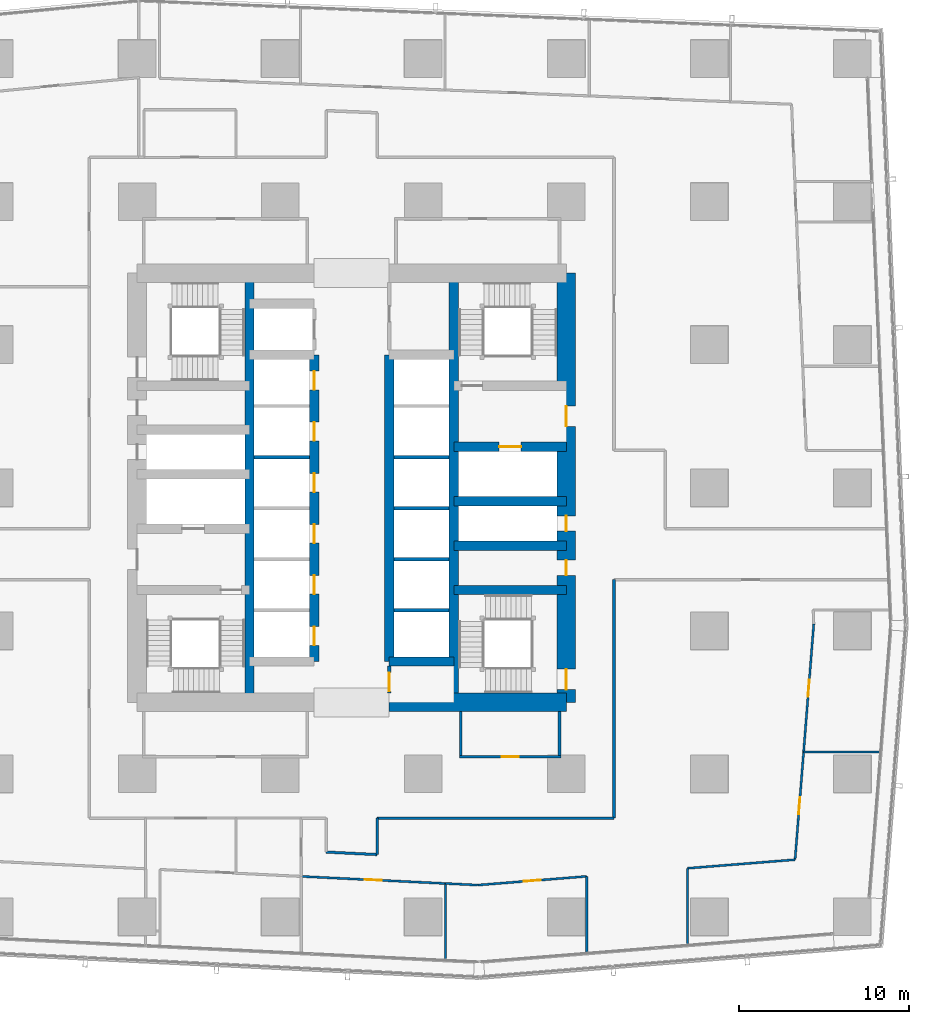
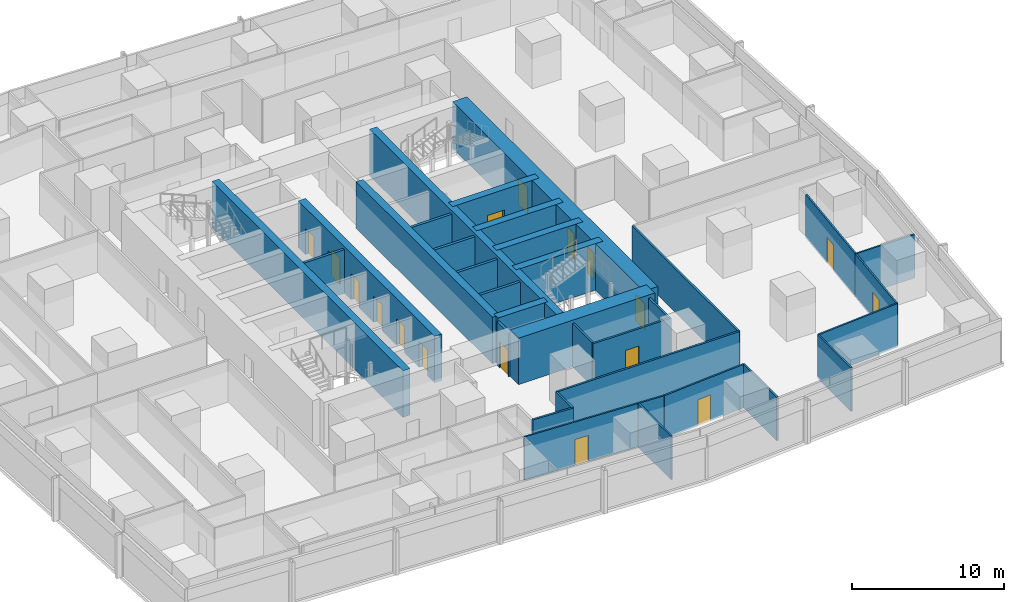
# One storey, part 33 of 45: 34 walls, 17 doors, 17 openings.
"""IFC4 building model written with IfcOpenShell, lengths in metres."""

from ifc_helpers import new_model, si_unit, direction, frame, frame_2d, origin, place, context, subcontext, project, spatial, rectangle, extrude, material, layer, layer_set, type_object, element, fill, save


model = new_model("IFC4")

# Units and contexts
model_context = context("Model", 3, precision=1e-05, world=origin(), true_north=direction((0.0, 1.0)))
body_context = subcontext(model_context, "Body", "Model", "MODEL_VIEW")
ifc_project = project(units=[si_unit("LENGTHUNIT", "METRE"), si_unit("AREAUNIT", "SQUARE_METRE"), si_unit("VOLUMEUNIT", "CUBIC_METRE"), si_unit("PLANEANGLEUNIT", "RADIAN"), si_unit("MASSUNIT", "GRAM", prefix="KILO")], contexts=[model_context])

# Site, building, storey
site_placement = place(None, origin())
site = spatial("IfcSite", under=ifc_project, at=site_placement, CompositionType="ELEMENT")
building_placement = place(site_placement, origin())
building = spatial("IfcBuilding", under=site, at=building_placement, Name="Rekha Terrace Tower", CompositionType="ELEMENT")
storey_placement = place(building_placement, frame((0.0, 0.0, 32.89990234375)))
storey = spatial("IfcBuildingStorey", under=building, at=storey_placement, Name="L07", CompositionType="ELEMENT", Elevation=32.89990234375)

# Walls
ifc_material_1 = material(Name="Concrete M70", Category="concrete")
ifc_layer_1 = layer(ifc_material_1, 0.550048828125)
ifc_layer_set_1 = layer_set([ifc_layer_1], Name="Concrete M70")
wall_type_1 = type_object("IfcWallType", Name="CI1 550 core internal shear wall", PredefinedType="SHEAR", material=ifc_layer_set_1)
for number, where, z_axis, x_axis, name in (
    (1, (31.800048828125, 21.0, 0.0), (0.0, 0.0, 1.0), (0.0, 1.0, 0.0), "Core wall X318 L07"),
    (2, (43.800048828125, 21.0, 0.0), (0.0, 0.0, 1.0), (0.0, 1.0, 0.0), "Core wall X438 L07"),
):
    element("IfcWall", number, at=place(storey_placement, frame(where, z_axis=z_axis, x_axis=x_axis)), inside=storey, type_object=wall_type_1, Name=name, PredefinedType="SHEAR", context=body_context, shape_type="SweptSolid", body=[
        extrude(rectangle(XDim=25.199951171875, YDim=0.550048828125, at=frame_2d((12.60009765625, 0.0))), origin(), (0.0, 0.0, 1.0), 3.75),
    ])

# Wall, openings, doors
wall_1_placement = place(storey_placement, frame((35.60009765625, 23.39990234375, 0.0), z_axis=(0.0, 0.0, 1.0), x_axis=(0.0, 1.0, 0.0)))
wall_1 = element("IfcWall", 3, at=wall_1_placement, inside=storey, type_object=wall_type_1, Name="Core wall X356 L07", PredefinedType="SHEAR", context=body_context, shape_type="SweptSolid", body=[
    extrude(rectangle(XDim=18.0, YDim=0.550048828125, at=frame_2d((9.0, 0.0))), origin(), (0.0, 0.0, 1.0), 3.75),
])
opening_1_placement = place(wall_1_placement, frame((0.949951171875, 0.0, 0.0)))
opening_1 = element("IfcOpeningElement", 4, at=opening_1_placement, cuts=wall_1, Name="Opening LD1", PredefinedType="OPENING", context=body_context, shape_type="SweptSolid", body=[
    extrude(rectangle(XDim=1.10009765625, YDim=2.10009765625, at=frame_2d((0.550048828125, 1.050048828125))), frame((0.0, 0.284912109375, 0.0), z_axis=(0.0, -1.0, 0.0), x_axis=(1.0, 0.0, 0.0)), (0.0, 0.0, 1.0), 0.570068359375),
])
opening_2_placement = place(wall_1_placement, frame((3.949951171875, 0.0, 0.0)))
opening_2 = element("IfcOpeningElement", 5, at=opening_2_placement, cuts=wall_1, Name="Opening LD1", PredefinedType="OPENING", context=body_context, shape_type="SweptSolid", body=[
    extrude(rectangle(XDim=1.10009765625, YDim=2.10009765625, at=frame_2d((0.550048828125, 1.050048828125))), frame((0.0, 0.284912109375, 0.0), z_axis=(0.0, -1.0, 0.0), x_axis=(1.0, 0.0, 0.0)), (0.0, 0.0, 1.0), 0.570068359375),
])
opening_3_placement = place(wall_1_placement, frame((6.949951171875, 0.0, 0.0)))
opening_3 = element("IfcOpeningElement", 6, at=opening_3_placement, cuts=wall_1, Name="Opening LD1", PredefinedType="OPENING", context=body_context, shape_type="SweptSolid", body=[
    extrude(rectangle(XDim=1.10009765625, YDim=2.10009765625, at=frame_2d((0.550048828125, 1.050048828125))), frame((0.0, 0.284912109375, 0.0), z_axis=(0.0, -1.0, 0.0), x_axis=(1.0, 0.0, 0.0)), (0.0, 0.0, 1.0), 0.570068359375),
])
opening_4_placement = place(wall_1_placement, frame((9.949951171875, 0.0, 0.0)))
opening_4 = element("IfcOpeningElement", 7, at=opening_4_placement, cuts=wall_1, Name="Opening LD1", PredefinedType="OPENING", context=body_context, shape_type="SweptSolid", body=[
    extrude(rectangle(XDim=1.10009765625, YDim=2.10009765625, at=frame_2d((0.550048828125, 1.050048828125))), frame((0.0, 0.284912109375, 0.0), z_axis=(0.0, -1.0, 0.0), x_axis=(1.0, 0.0, 0.0)), (0.0, 0.0, 1.0), 0.570068359375),
])
opening_5_placement = place(wall_1_placement, frame((12.949951171875, 0.0, 0.0)))
opening_5 = element("IfcOpeningElement", 8, at=opening_5_placement, cuts=wall_1, Name="Opening LD1", PredefinedType="OPENING", context=body_context, shape_type="SweptSolid", body=[
    extrude(rectangle(XDim=1.10009765625, YDim=2.10009765625, at=frame_2d((0.550048828125, 1.050048828125))), frame((0.0, 0.284912109375, 0.0), z_axis=(0.0, -1.0, 0.0), x_axis=(1.0, 0.0, 0.0)), (0.0, 0.0, 1.0), 0.570068359375),
])
opening_6_placement = place(wall_1_placement, frame((15.949951171875, 0.0, 0.0)))
opening_6 = element("IfcOpeningElement", 9, at=opening_6_placement, cuts=wall_1, Name="Opening LD1", PredefinedType="OPENING", context=body_context, shape_type="SweptSolid", body=[
    extrude(rectangle(XDim=1.10009765625, YDim=2.10009765625, at=frame_2d((0.550048828125, 1.050048828125))), frame((0.0, 0.284912109375, 0.0), z_axis=(0.0, -1.0, 0.0), x_axis=(1.0, 0.0, 0.0)), (0.0, 0.0, 1.0), 0.570068359375),
])
ifc_material_2 = material(Name="Stainless steel sliding landing door", Category="steel")
door_type_1 = type_object("IfcDoorType", Name="LD1 1100x2100 lift landing door", OperationType="SLIDING_TO_LEFT", PredefinedType="USERDEFINED", material=ifc_material_2)
door_1_placement = place(opening_1_placement, origin())
door_1 = element("IfcDoor", 10, at=door_1_placement, inside=storey, type_object=door_type_1, Name="Lift A1 landing door L07", ObjectType="LIFT LANDING DOOR", OperationType="SLIDING_TO_LEFT", OverallHeight=2.10009765625, OverallWidth=1.10009765625, PredefinedType="USERDEFINED", context=body_context, shape_type="SweptSolid", body=[
    extrude(rectangle(XDim=1.10009765625, YDim=2.10009765625, at=frame_2d((0.550048828125, 1.050048828125))), frame((0.0, 0.02490234375, 0.0), z_axis=(0.0, -1.0, 0.0), x_axis=(1.0, 0.0, 0.0)), (0.0, 0.0, 1.0), 0.050048828125),
])
fill(opening_1, door_1)
door_2_placement = place(opening_2_placement, origin())
door_2 = element("IfcDoor", 11, at=door_2_placement, inside=storey, type_object=door_type_1, Name="Lift A2 landing door L07", ObjectType="LIFT LANDING DOOR", OperationType="SLIDING_TO_LEFT", OverallHeight=2.10009765625, OverallWidth=1.10009765625, PredefinedType="USERDEFINED", context=body_context, shape_type="SweptSolid", body=[
    extrude(rectangle(XDim=1.10009765625, YDim=2.10009765625, at=frame_2d((0.550048828125, 1.050048828125))), frame((0.0, 0.02490234375, 0.0), z_axis=(0.0, -1.0, 0.0), x_axis=(1.0, 0.0, 0.0)), (0.0, 0.0, 1.0), 0.050048828125),
])
fill(opening_2, door_2)
door_3_placement = place(opening_3_placement, origin())
door_3 = element("IfcDoor", 12, at=door_3_placement, inside=storey, type_object=door_type_1, Name="Lift A3 landing door L07", ObjectType="LIFT LANDING DOOR", OperationType="SLIDING_TO_LEFT", OverallHeight=2.10009765625, OverallWidth=1.10009765625, PredefinedType="USERDEFINED", context=body_context, shape_type="SweptSolid", body=[
    extrude(rectangle(XDim=1.10009765625, YDim=2.10009765625, at=frame_2d((0.550048828125, 1.050048828125))), frame((0.0, 0.02490234375, 0.0), z_axis=(0.0, -1.0, 0.0), x_axis=(1.0, 0.0, 0.0)), (0.0, 0.0, 1.0), 0.050048828125),
])
fill(opening_3, door_3)
door_4_placement = place(opening_4_placement, origin())
door_4 = element("IfcDoor", 13, at=door_4_placement, inside=storey, type_object=door_type_1, Name="Lift A4 landing door L07", ObjectType="LIFT LANDING DOOR", OperationType="SLIDING_TO_LEFT", OverallHeight=2.10009765625, OverallWidth=1.10009765625, PredefinedType="USERDEFINED", context=body_context, shape_type="SweptSolid", body=[
    extrude(rectangle(XDim=1.10009765625, YDim=2.10009765625, at=frame_2d((0.550048828125, 1.050048828125))), frame((0.0, 0.02490234375, 0.0), z_axis=(0.0, -1.0, 0.0), x_axis=(1.0, 0.0, 0.0)), (0.0, 0.0, 1.0), 0.050048828125),
])
fill(opening_4, door_4)
door_5_placement = place(opening_5_placement, origin())
door_5 = element("IfcDoor", 14, at=door_5_placement, inside=storey, type_object=door_type_1, Name="Lift A5 landing door L07", ObjectType="LIFT LANDING DOOR", OperationType="SLIDING_TO_LEFT", OverallHeight=2.10009765625, OverallWidth=1.10009765625, PredefinedType="USERDEFINED", context=body_context, shape_type="SweptSolid", body=[
    extrude(rectangle(XDim=1.10009765625, YDim=2.10009765625, at=frame_2d((0.550048828125, 1.050048828125))), frame((0.0, 0.02490234375, 0.0), z_axis=(0.0, -1.0, 0.0), x_axis=(1.0, 0.0, 0.0)), (0.0, 0.0, 1.0), 0.050048828125),
])
fill(opening_5, door_5)
door_6_placement = place(opening_6_placement, origin())
door_6 = element("IfcDoor", 15, at=door_6_placement, inside=storey, type_object=door_type_1, Name="Lift A6 landing door L07", ObjectType="LIFT LANDING DOOR", OperationType="SLIDING_TO_LEFT", OverallHeight=2.10009765625, OverallWidth=1.10009765625, PredefinedType="USERDEFINED", context=body_context, shape_type="SweptSolid", body=[
    extrude(rectangle(XDim=1.10009765625, YDim=2.10009765625, at=frame_2d((0.550048828125, 1.050048828125))), frame((0.0, 0.02490234375, 0.0), z_axis=(0.0, -1.0, 0.0), x_axis=(1.0, 0.0, 0.0)), (0.0, 0.0, 1.0), 0.050048828125),
])
fill(opening_6, door_6)

# Walls
wall_2_placement = place(storey_placement, frame((40.0, 23.39990234375, 0.0), z_axis=(0.0, 0.0, 1.0), x_axis=(0.0, 1.0, 0.0)))
element("IfcWall", 16, at=wall_2_placement, inside=storey, type_object=wall_type_1, Name="Core wall X400 L07", PredefinedType="SHEAR", context=body_context, shape_type="SweptSolid", body=[
    extrude(rectangle(XDim=18.0, YDim=0.550048828125, at=frame_2d((9.0, 0.0))), origin(), (0.0, 0.0, 1.0), 3.75),
])
wall_3_placement = place(storey_placement, frame((40.0, 23.39990234375, 0.0), z_axis=(0.0, 0.0, 1.0), x_axis=(1.0, 0.0, 0.0)))
element("IfcWall", 17, at=wall_3_placement, inside=storey, type_object=wall_type_1, Name="Core wall Y234E L07", PredefinedType="SHEAR", context=body_context, shape_type="SweptSolid", body=[
    extrude(rectangle(XDim=3.800048828125, YDim=0.550048828125, at=frame_2d((1.89990234375, 0.0))), origin(), (0.0, 0.0, 1.0), 3.75),
])
for number, where, z_axis, x_axis, name in (
    (18, (43.800048828125, 27.60009765625, 0.0), (0.0, 0.0, 1.0), (1.0, 0.0, 0.0), "Core wall Y276E L07"),
    (19, (43.800048828125, 30.199951171875, 0.0), (0.0, 0.0, 1.0), (1.0, 0.0, 0.0), "Core wall Y302E L07"),
    (20, (43.800048828125, 32.800048828125, 0.0), (0.0, 0.0, 1.0), (1.0, 0.0, 0.0), "Core wall Y328E L07"),
):
    element("IfcWall", number, at=place(storey_placement, frame(where, z_axis=z_axis, x_axis=x_axis)), inside=storey, type_object=wall_type_1, Name=name, PredefinedType="SHEAR", context=body_context, shape_type="SweptSolid", body=[
        extrude(rectangle(XDim=6.599853515625, YDim=0.550048828125, at=frame_2d((3.2998046875, 0.0))), origin(), (0.0, 0.0, 1.0), 3.75),
    ])

# Wall, opening, door
wall_4_placement = place(storey_placement, frame((43.800048828125, 36.0, 0.0), z_axis=(0.0, 0.0, 1.0), x_axis=(1.0, 0.0, 0.0)))
wall_4 = element("IfcWall", 21, at=wall_4_placement, inside=storey, type_object=wall_type_1, Name="Core wall Y360E L07", PredefinedType="SHEAR", context=body_context, shape_type="SweptSolid", body=[
    extrude(rectangle(XDim=6.599853515625, YDim=0.550048828125, at=frame_2d((3.2998046875, 0.0))), origin(), (0.0, 0.0, 1.0), 3.75),
])
opening_7_placement = place(wall_4_placement, frame((2.64990234375, 0.0, 0.0)))
opening_7 = element("IfcOpeningElement", 22, at=opening_7_placement, cuts=wall_4, Name="Opening LD2", PredefinedType="OPENING", context=body_context, shape_type="SweptSolid", body=[
    extrude(rectangle(XDim=1.300048828125, YDim=2.10009765625, at=frame_2d((0.64990234375, 1.050048828125))), frame((0.0, 0.284912109375, 0.0), z_axis=(0.0, -1.0, 0.0), x_axis=(1.0, 0.0, 0.0)), (0.0, 0.0, 1.0), 0.570068359375),
])
door_type_2 = type_object("IfcDoorType", Name="LD2 1300x2100 fire lift landing door", OperationType="SLIDING_TO_LEFT", PredefinedType="USERDEFINED", material=ifc_material_2)
door_7_placement = place(opening_7_placement, origin())
door_7 = element("IfcDoor", 23, at=door_7_placement, inside=storey, type_object=door_type_2, Name="Lift FL2 landing door L07", ObjectType="LIFT LANDING DOOR", OperationType="SLIDING_TO_LEFT", OverallHeight=2.10009765625, OverallWidth=1.300048828125, PredefinedType="USERDEFINED", context=body_context, shape_type="SweptSolid", body=[
    extrude(rectangle(XDim=1.300048828125, YDim=2.10009765625, at=frame_2d((0.64990234375, 1.050048828125))), frame((0.0, 0.02490234375, 0.0), z_axis=(0.0, -1.0, 0.0), x_axis=(1.0, 0.0, 0.0)), (0.0, 0.0, 1.0), 0.050048828125),
])
fill(opening_7, door_7)

# Wall
ifc_layer_2 = layer(ifc_material_1, 1.10009765625)
ifc_layer_set_2 = layer_set([ifc_layer_2], Name="Concrete M70")
wall_type_2 = type_object("IfcWallType", Name="SW1 1100 core outer shear wall", PredefinedType="SHEAR", material=ifc_layer_set_2)
wall_5_placement = place(storey_placement, frame((40.0, 21.0, 0.0), z_axis=(0.0, 0.0, 1.0), x_axis=(1.0, 0.0, 0.0)))
element("IfcWall", 24, at=wall_5_placement, inside=storey, type_object=wall_type_2, Name="Core wall S2 L07", PredefinedType="SHEAR", context=body_context, shape_type="SweptSolid", body=[
    extrude(rectangle(XDim=10.39990234375, YDim=1.10009765625, at=frame_2d((5.199951171875, 0.0))), origin(), (0.0, 0.0, 1.0), 3.75),
])

# Wall, openings, doors
wall_6_placement = place(storey_placement, frame((50.39990234375, 21.0, 0.0), z_axis=(0.0, 0.0, 1.0), x_axis=(0.0, 1.0, 0.0)))
wall_6 = element("IfcWall", 25, at=wall_6_placement, inside=storey, type_object=wall_type_2, Name="Core wall E L07", PredefinedType="SHEAR", context=body_context, shape_type="SweptSolid", body=[
    extrude(rectangle(XDim=25.199951171875, YDim=1.10009765625, at=frame_2d((12.60009765625, 0.0))), origin(), (0.0, 0.0, 1.0), 3.75),
])
opening_8_placement = place(wall_6_placement, frame((16.199951171875, 0.0, 0.0)))
opening_8 = element("IfcOpeningElement", 26, at=opening_8_placement, cuts=wall_6, Name="Opening D2", PredefinedType="OPENING", context=body_context, shape_type="SweptSolid", body=[
    extrude(rectangle(XDim=1.199951171875, YDim=2.10009765625, at=frame_2d((0.60009765625, 1.050048828125))), frame((0.0, 0.56005859375, 0.0), z_axis=(0.0, -1.0, 0.0), x_axis=(1.0, 0.0, 0.0)), (0.0, 0.0, 1.0), 1.1201171875),
])
opening_9_placement = place(wall_6_placement, frame((10.050048828125, 0.0, 0.0)))
opening_9 = element("IfcOpeningElement", 27, at=opening_9_placement, cuts=wall_6, Name="Opening D5", PredefinedType="OPENING", context=body_context, shape_type="SweptSolid", body=[
    extrude(rectangle(XDim=0.89990234375, YDim=2.10009765625, at=frame_2d((0.449951171875, 1.050048828125))), frame((0.0, 0.56005859375, 0.0), z_axis=(0.0, -1.0, 0.0), x_axis=(1.0, 0.0, 0.0)), (0.0, 0.0, 1.0), 1.1201171875),
])
opening_10_placement = place(wall_6_placement, frame((7.449951171875, 0.0, 0.0)))
opening_10 = element("IfcOpeningElement", 28, at=opening_10_placement, cuts=wall_6, Name="Opening D5", PredefinedType="OPENING", context=body_context, shape_type="SweptSolid", body=[
    extrude(rectangle(XDim=0.89990234375, YDim=2.10009765625, at=frame_2d((0.449951171875, 1.050048828125))), frame((0.0, 0.56005859375, 0.0), z_axis=(0.0, -1.0, 0.0), x_axis=(1.0, 0.0, 0.0)), (0.0, 0.0, 1.0), 1.1201171875),
])
opening_11_placement = place(wall_6_placement, frame((0.75, 0.0, 0.0)))
opening_11 = element("IfcOpeningElement", 29, at=opening_11_placement, cuts=wall_6, Name="Opening D1", PredefinedType="OPENING", context=body_context, shape_type="SweptSolid", body=[
    extrude(rectangle(XDim=1.199951171875, YDim=2.10009765625, at=frame_2d((0.60009765625, 1.050048828125))), frame((0.0, 0.56005859375, 0.0), z_axis=(0.0, -1.0, 0.0), x_axis=(1.0, 0.0, 0.0)), (0.0, 0.0, 1.0), 1.1201171875),
])
ifc_material_3 = material(Name="Steel fire door", Category="steel")
door_type_3 = type_object("IfcDoorType", Name="D1 1200x2100 stair fire door", OperationType="SINGLE_SWING_RIGHT", PredefinedType="DOOR", material=ifc_material_3)
door_8_placement = place(opening_11_placement, origin())
door_8 = element("IfcDoor", 30, at=door_8_placement, inside=storey, type_object=door_type_3, Name="Stair ST3 door L07", OperationType="SINGLE_SWING_RIGHT", OverallHeight=2.10009765625, OverallWidth=1.199951171875, PredefinedType="DOOR", context=body_context, shape_type="SweptSolid", body=[
    extrude(rectangle(XDim=1.199951171875, YDim=2.10009765625, at=frame_2d((0.60009765625, 1.050048828125))), frame((0.0, 0.02490234375, 0.0), z_axis=(0.0, -1.0, 0.0), x_axis=(1.0, 0.0, 0.0)), (0.0, 0.0, 1.0), 0.050048828125),
])
fill(opening_11, door_8)
door_type_4 = type_object("IfcDoorType", Name="D2 1200x2100 firefighting lobby door", OperationType="SINGLE_SWING_LEFT", PredefinedType="DOOR", material=ifc_material_3)
door_9_placement = place(opening_8_placement, origin())
door_9 = element("IfcDoor", 31, at=door_9_placement, inside=storey, type_object=door_type_4, Name="Door flb2 L07", OperationType="SINGLE_SWING_LEFT", OverallHeight=2.10009765625, OverallWidth=1.199951171875, PredefinedType="DOOR", context=body_context, shape_type="SweptSolid", body=[
    extrude(rectangle(XDim=1.199951171875, YDim=2.10009765625, at=frame_2d((0.60009765625, 1.050048828125))), frame((0.0, 0.02490234375, 0.0), z_axis=(0.0, -1.0, 0.0), x_axis=(1.0, 0.0, 0.0)), (0.0, 0.0, 1.0), 0.050048828125),
])
fill(opening_8, door_9)
door_type_5 = type_object("IfcDoorType", Name="D5 900x2100 riser access door", OperationType="SINGLE_SWING_LEFT", PredefinedType="DOOR", material=ifc_material_3)
door_10_placement = place(opening_9_placement, origin())
door_10 = element("IfcDoor", 32, at=door_10_placement, inside=storey, type_object=door_type_5, Name="Door rs2 L07", OperationType="SINGLE_SWING_LEFT", OverallHeight=2.10009765625, OverallWidth=0.89990234375, PredefinedType="DOOR", context=body_context, shape_type="SweptSolid", body=[
    extrude(rectangle(XDim=0.89990234375, YDim=2.10009765625, at=frame_2d((0.449951171875, 1.050048828125))), frame((0.0, 0.02490234375, 0.0), z_axis=(0.0, -1.0, 0.0), x_axis=(1.0, 0.0, 0.0)), (0.0, 0.0, 1.0), 0.050048828125),
])
fill(opening_9, door_10)
door_11_placement = place(opening_10_placement, origin())
door_11 = element("IfcDoor", 33, at=door_11_placement, inside=storey, type_object=door_type_5, Name="Door ele L07", OperationType="SINGLE_SWING_LEFT", OverallHeight=2.10009765625, OverallWidth=0.89990234375, PredefinedType="DOOR", context=body_context, shape_type="SweptSolid", body=[
    extrude(rectangle(XDim=0.89990234375, YDim=2.10009765625, at=frame_2d((0.449951171875, 1.050048828125))), frame((0.0, 0.02490234375, 0.0), z_axis=(0.0, -1.0, 0.0), x_axis=(1.0, 0.0, 0.0)), (0.0, 0.0, 1.0), 0.050048828125),
])
fill(opening_10, door_11)

# Wall, opening, door
ifc_material_4 = material(Name="Concrete block masonry, 1 hour", Category="masonry")
ifc_layer_3 = layer(ifc_material_4, 0.14990234375)
ifc_layer_set_3 = layer_set([ifc_layer_3], Name="Concrete block masonry, 1 hour")
wall_type_3 = type_object("IfcWallType", Name="WP2 150 tenancy partition", PredefinedType="PARTITIONING", material=ifc_layer_set_3)
wall_7_placement = place(storey_placement, frame((44.125, 17.800048828125, 0.0), z_axis=(0.0, 0.0, 1.0), x_axis=(1.0, 0.0, 0.0)))
wall_7 = element("IfcWall", 34, at=wall_7_placement, inside=storey, type_object=wall_type_3, Name="Men's WC wall L07", PredefinedType="PARTITIONING", context=body_context, shape_type="SweptSolid", body=[
    extrude(rectangle(XDim=5.949951171875, YDim=0.14990234375, at=frame_2d((2.97509765625, 0.0))), origin(), (0.0, 0.0, 1.0), 3.5),
])
opening_12_placement = place(wall_7_placement, frame((2.47509765625, 0.0, 0.0)))
opening_12 = element("IfcOpeningElement", 35, at=opening_12_placement, cuts=wall_7, Name="Opening D3", PredefinedType="OPENING", context=body_context, shape_type="SweptSolid", body=[
    extrude(rectangle(XDim=1.0, YDim=2.10009765625, at=frame_2d((0.5, 1.050048828125))), frame((0.0, 0.0849609375, 0.0), z_axis=(0.0, -1.0, 0.0), x_axis=(1.0, 0.0, 0.0)), (0.0, 0.0, 1.0), 0.169921875),
])
ifc_material_5 = material(Name="Laminated timber fire door", Category="wood")
door_type_6 = type_object("IfcDoorType", Name="D3 1000x2100 WC door", OperationType="SINGLE_SWING_LEFT", PredefinedType="DOOR", material=ifc_material_5)
door_12_placement = place(opening_12_placement, origin())
door_12 = element("IfcDoor", 36, at=door_12_placement, inside=storey, type_object=door_type_6, Name="Door men's wc L07", OperationType="SINGLE_SWING_LEFT", OverallHeight=2.10009765625, OverallWidth=1.0, PredefinedType="DOOR", context=body_context, shape_type="SweptSolid", body=[
    extrude(rectangle(XDim=1.0, YDim=2.10009765625, at=frame_2d((0.5, 1.050048828125))), frame((0.0, 0.02490234375, 0.0), z_axis=(0.0, -1.0, 0.0), x_axis=(1.0, 0.0, 0.0)), (0.0, 0.0, 1.0), 0.050048828125),
])
fill(opening_12, door_12)

# Walls
for number, where, z_axis, x_axis, name in (
    (37, (44.199951171875, 17.875, 0.0), (0.0, 0.0, 1.0), (0.0, 1.0, 0.0), "Men's WC wall L07"),
    (38, (50.0, 17.875, 0.0), (0.0, 0.0, 1.0), (0.0, 1.0, 0.0), "Men's WC wall L07"),
):
    element("IfcWall", number, at=place(storey_placement, frame(where, z_axis=z_axis, x_axis=x_axis)), inside=storey, type_object=wall_type_3, Name=name, PredefinedType="PARTITIONING", context=body_context, shape_type="SweptSolid", body=[
        extrude(rectangle(XDim=2.574951171875, YDim=0.14990234375, at=frame_2d((1.28759765625, 0.0))), origin(), (0.0, 0.0, 1.0), 3.5),
    ])
wall_8_placement = place(storey_placement, frame((36.300048828125, 12.2099609375, 0.0), z_axis=(0.0, 0.0, 1.0), x_axis=(0.998786159732, -0.04925654401, 0.0)))
element("IfcWall", 39, at=wall_8_placement, inside=storey, type_object=wall_type_3, Name="Partition L07-O1", PredefinedType="PARTITIONING", context=body_context, shape_type="SweptSolid", body=[
    extrude(rectangle(XDim=3.003662109375, YDim=0.14990234375, at=frame_2d((1.501953125, 0.0))), origin(), (0.0, 0.0, 1.0), 3.5),
])
wall_9_placement = place(storey_placement, frame((39.300048828125, 12.06201171875, 0.0), z_axis=(0.0, 0.0, 1.0), x_axis=(0.0, 1.0, 0.0)))
element("IfcWall", 40, at=wall_9_placement, inside=storey, type_object=wall_type_3, Name="Partition L07-O1", PredefinedType="PARTITIONING", context=body_context, shape_type="SweptSolid", body=[
    extrude(rectangle(XDim=2.137939453125, YDim=0.14990234375, at=frame_2d((1.06884765625, 0.0))), origin(), (0.0, 0.0, 1.0), 3.5),
])
wall_10_placement = place(storey_placement, frame((39.300048828125, 14.199951171875, 0.0), z_axis=(0.0, 0.0, 1.0), x_axis=(1.0, 0.0, 0.0)))
element("IfcWall", 41, at=wall_10_placement, inside=storey, type_object=wall_type_3, Name="Partition L07-O1", PredefinedType="PARTITIONING", context=body_context, shape_type="SweptSolid", body=[
    extrude(rectangle(XDim=13.89990234375, YDim=0.14990234375, at=frame_2d((6.949951171875, 0.0))), origin(), (0.0, 0.0, 1.0), 3.5),
])
wall_11_placement = place(storey_placement, frame((53.199951171875, 14.199951171875, 0.0), z_axis=(0.0, 0.0, 1.0), x_axis=(0.0, 1.0, 0.0)))
element("IfcWall", 42, at=wall_11_placement, inside=storey, type_object=wall_type_3, Name="Partition L07-O1", PredefinedType="PARTITIONING", context=body_context, shape_type="SweptSolid", body=[
    extrude(rectangle(XDim=14.0, YDim=0.14990234375, at=frame_2d((7.0, 0.0))), origin(), (0.0, 0.0, 1.0), 3.5),
])

# Wall, opening, door
ifc_material_6 = material(Name="Two layers of fire-rated gypsum board each side on steel studs, acoustic quilt, 1 hour", Category="steel")
ifc_layer_4 = layer(ifc_material_6, 0.125)
ifc_layer_set_4 = layer_set([ifc_layer_4], Name="Two layers of fire-rated gypsum board each side on steel studs, acoustic quilt, 1 hour")
wall_type_4 = type_object("IfcWallType", Name="WP3 125 office partition", PredefinedType="PARTITIONING", material=ifc_layer_set_4)
wall_12_placement = place(storey_placement, frame((34.841064453125, 10.780029296875, 0.0), z_axis=(0.0, 0.0, 1.0), x_axis=(0.998796515078, -0.049046115723, 0.0)))
wall_12 = element("IfcWall", 43, at=wall_12_placement, inside=storey, type_object=wall_type_4, Name="Partition L07-02", PredefinedType="PARTITIONING", context=body_context, shape_type="SweptSolid", body=[
    extrude(rectangle(XDim=8.482177734375, YDim=0.125, at=frame_2d((4.2412109375, 0.0))), origin(), (0.0, 0.0, 1.0), 3.5),
])
opening_13_placement = place(wall_12_placement, frame((3.740966796875, 0.0, 0.0)))
opening_13 = element("IfcOpeningElement", 44, at=opening_13_placement, cuts=wall_12, Name="Opening D9", PredefinedType="OPENING", context=body_context, shape_type="SweptSolid", body=[
    extrude(rectangle(XDim=1.0, YDim=2.10009765625, at=frame_2d((0.5, 1.050048828125))), frame((0.0, 0.072509765625, 0.0), z_axis=(0.0, -1.0, 0.0), x_axis=(1.0, 0.0, 0.0)), (0.0, 0.0, 1.0), 0.14501953125),
])
ifc_material_7 = material(Name="Timber fire door", Category="wood")
door_type_7 = type_object("IfcDoorType", Name="D9 1000x2100 office door", OperationType="SINGLE_SWING_LEFT", PredefinedType="DOOR", material=ifc_material_7)
door_13_placement = place(opening_13_placement, origin())
door_13 = element("IfcDoor", 45, at=door_13_placement, inside=storey, type_object=door_type_7, Name="Door meeting room L07", OperationType="SINGLE_SWING_LEFT", OverallHeight=2.10009765625, OverallWidth=1.0, PredefinedType="DOOR", context=body_context, shape_type="SweptSolid", body=[
    extrude(rectangle(XDim=1.0, YDim=2.10009765625, at=frame_2d((0.5, 1.050048828125))), frame((0.0, 0.02490234375, 0.0), z_axis=(0.0, -1.0, 0.0), x_axis=(1.0, 0.0, 0.0)), (0.0, 0.0, 1.0), 0.050048828125),
])
fill(opening_13, door_13)

# Walls
wall_13_placement = place(storey_placement, frame((43.31298828125, 10.364013671875, 0.0), z_axis=(0.0, 0.0, 1.0), x_axis=(0.0, -1.0, 0.0)))
element("IfcWall", 46, at=wall_13_placement, inside=storey, type_object=wall_type_4, Name="Partition L07-02", PredefinedType="PARTITIONING", context=body_context, shape_type="SweptSolid", body=[
    extrude(rectangle(XDim=4.426025390625, YDim=0.125, at=frame_2d((2.212890625, 0.0))), origin(), (0.0, 0.0, 1.0), 3.5),
])
wall_14_placement = place(storey_placement, frame((43.31396484375, 10.364013671875, 0.0), z_axis=(0.0, 0.0, 1.0), x_axis=(0.998788470102, -0.04920967375, 0.0)))
element("IfcWall", 47, at=wall_14_placement, inside=storey, type_object=wall_type_4, Name="Partition L07-03", PredefinedType="PARTITIONING", context=body_context, shape_type="SweptSolid", body=[
    extrude(rectangle(XDim=1.89013671875, YDim=0.125, at=frame_2d((0.945068359375, 0.0))), origin(), (0.0, 0.0, 1.0), 3.5),
])

# Wall, opening, door
wall_15_placement = place(storey_placement, frame((45.201904296875, 10.27099609375, 0.0), z_axis=(0.0, 0.0, 1.0), x_axis=(0.996803782356, 0.079888794459, 0.0)))
wall_15 = element("IfcWall", 48, at=wall_15_placement, inside=storey, type_object=wall_type_4, Name="Partition L07-03", PredefinedType="PARTITIONING", context=body_context, shape_type="SweptSolid", body=[
    extrude(rectangle(XDim=6.420654296875, YDim=0.125, at=frame_2d((3.21044921875, 0.0))), origin(), (0.0, 0.0, 1.0), 3.5),
])
opening_14_placement = place(wall_15_placement, frame((2.7099609375, 0.0, 0.0)))
opening_14 = element("IfcOpeningElement", 49, at=opening_14_placement, cuts=wall_15, Name="Opening D9", PredefinedType="OPENING", context=body_context, shape_type="SweptSolid", body=[
    extrude(rectangle(XDim=1.0, YDim=2.10009765625, at=frame_2d((0.5, 1.050048828125))), frame((0.0, 0.072509765625, 0.0), z_axis=(0.0, -1.0, 0.0), x_axis=(1.0, 0.0, 0.0)), (0.0, 0.0, 1.0), 0.14501953125),
])
door_14_placement = place(opening_14_placement, origin())
door_14 = element("IfcDoor", 50, at=door_14_placement, inside=storey, type_object=door_type_7, Name="Door breakout lounge L07", OperationType="SINGLE_SWING_LEFT", OverallHeight=2.10009765625, OverallWidth=1.0, PredefinedType="DOOR", context=body_context, shape_type="SweptSolid", body=[
    extrude(rectangle(XDim=1.0, YDim=2.10009765625, at=frame_2d((0.5, 1.050048828125))), frame((0.0, 0.02490234375, 0.0), z_axis=(0.0, -1.0, 0.0), x_axis=(1.0, 0.0, 0.0)), (0.0, 0.0, 1.0), 0.050048828125),
])
fill(opening_14, door_14)

# Walls
wall_16_placement = place(storey_placement, frame((51.60205078125, 10.783935546875, 0.0), z_axis=(0.0, 0.0, 1.0), x_axis=(0.0, -1.0, 0.0)))
element("IfcWall", 51, at=wall_16_placement, inside=storey, type_object=wall_type_4, Name="Partition L07-03", PredefinedType="PARTITIONING", context=body_context, shape_type="SweptSolid", body=[
    extrude(rectangle(XDim=4.434814453125, YDim=0.125, at=frame_2d((2.21728515625, 0.0))), origin(), (0.0, 0.0, 1.0), 3.5),
])
wall_17_placement = place(storey_placement, frame((57.527099609375, 6.823974609375, 0.0), z_axis=(0.0, 0.0, 1.0), x_axis=(0.0, 1.0, 0.0)))
element("IfcWall", 52, at=wall_17_placement, inside=storey, type_object=wall_type_4, Name="Partition L07-04", PredefinedType="PARTITIONING", context=body_context, shape_type="SweptSolid", body=[
    extrude(rectangle(XDim=4.43408203125, YDim=0.125, at=frame_2d((2.217041015625, 0.0))), origin(), (0.0, 0.0, 1.0), 3.5),
])
wall_18_placement = place(storey_placement, frame((57.527099609375, 11.258056640625, 0.0), z_axis=(0.0, 0.0, 1.0), x_axis=(0.996809139081, 0.079821928349, 0.0)))
element("IfcWall", 53, at=wall_18_placement, inside=storey, type_object=wall_type_4, Name="Partition L07-04", PredefinedType="PARTITIONING", context=body_context, shape_type="SweptSolid", body=[
    extrude(rectangle(XDim=6.3251953125, YDim=0.125, at=frame_2d((3.16259765625, 0.0))), origin(), (0.0, 0.0, 1.0), 3.5),
])

# Wall, opening, door
wall_19_placement = place(storey_placement, frame((63.83203125, 11.762939453125, 0.0), z_axis=(0.0, 0.0, 1.0), x_axis=(0.07922144789, 0.996857042005, 0.0)))
wall_19 = element("IfcWall", 54, at=wall_19_placement, inside=storey, type_object=wall_type_4, Name="Partition L07-04", PredefinedType="PARTITIONING", context=body_context, shape_type="SweptSolid", body=[
    extrude(rectangle(XDim=6.336181640625, YDim=0.125, at=frame_2d((3.16796875, 0.0))), origin(), (0.0, 0.0, 1.0), 3.5),
])
opening_15_placement = place(wall_19_placement, frame((2.66796875, 0.0, 0.0)))
opening_15 = element("IfcOpeningElement", 55, at=opening_15_placement, cuts=wall_19, Name="Opening D9", PredefinedType="OPENING", context=body_context, shape_type="SweptSolid", body=[
    extrude(rectangle(XDim=1.0, YDim=2.10009765625, at=frame_2d((0.5, 1.050048828125))), frame((0.0, 0.072509765625, 0.0), z_axis=(0.0, -1.0, 0.0), x_axis=(1.0, 0.0, 0.0)), (0.0, 0.0, 1.0), 0.14501953125),
])
door_15_placement = place(opening_15_placement, origin())
door_15 = element("IfcDoor", 56, at=door_15_placement, inside=storey, type_object=door_type_7, Name="Door manager's office L07", OperationType="SINGLE_SWING_LEFT", OverallHeight=2.10009765625, OverallWidth=1.0, PredefinedType="DOOR", context=body_context, shape_type="SweptSolid", body=[
    extrude(rectangle(XDim=1.0, YDim=2.10009765625, at=frame_2d((0.5, 1.050048828125))), frame((0.0, 0.02490234375, 0.0), z_axis=(0.0, -1.0, 0.0), x_axis=(1.0, 0.0, 0.0)), (0.0, 0.0, 1.0), 0.050048828125),
])
fill(opening_15, door_15)

# Wall
wall_20_placement = place(storey_placement, frame((64.333984375, 18.0791015625, 0.0), z_axis=(0.0, 0.0, 1.0), x_axis=(1.0, 0.0, 0.0)))
element("IfcWall", 57, at=wall_20_placement, inside=storey, type_object=wall_type_4, Name="Partition L07-04", PredefinedType="PARTITIONING", context=body_context, shape_type="SweptSolid", body=[
    extrude(rectangle(XDim=4.464111328125, YDim=0.125, at=frame_2d((2.23193359375, 0.0))), origin(), (0.0, 0.0, 1.0), 3.5),
])

# Wall, opening, door
wall_21_placement = place(storey_placement, frame((64.333984375, 18.080078125, 0.0), z_axis=(0.0, 0.0, 1.0), x_axis=(0.078990223615, 0.996875390695, 0.0)))
wall_21 = element("IfcWall", 58, at=wall_21_placement, inside=storey, type_object=wall_type_4, Name="Partition L07-05", PredefinedType="PARTITIONING", context=body_context, shape_type="SweptSolid", body=[
    extrude(rectangle(XDim=7.544677734375, YDim=0.125, at=frame_2d((3.7724609375, 0.0))), origin(), (0.0, 0.0, 1.0), 3.5),
])
opening_16_placement = place(wall_21_placement, frame((3.27197265625, 0.0, 0.0)))
opening_16 = element("IfcOpeningElement", 59, at=opening_16_placement, cuts=wall_21, Name="Opening D9", PredefinedType="OPENING", context=body_context, shape_type="SweptSolid", body=[
    extrude(rectangle(XDim=1.0, YDim=2.10009765625, at=frame_2d((0.5, 1.050048828125))), frame((0.0, 0.072509765625, 0.0), z_axis=(0.0, -1.0, 0.0), x_axis=(1.0, 0.0, 0.0)), (0.0, 0.0, 1.0), 0.14501953125),
])
door_16_placement = place(opening_16_placement, origin())
door_16 = element("IfcDoor", 60, at=door_16_placement, inside=storey, type_object=door_type_7, Name="Door office L07", OperationType="SINGLE_SWING_LEFT", OverallHeight=2.10009765625, OverallWidth=1.0, PredefinedType="DOOR", context=body_context, shape_type="SweptSolid", body=[
    extrude(rectangle(XDim=1.0, YDim=2.10009765625, at=frame_2d((0.5, 1.050048828125))), frame((0.0, 0.02490234375, 0.0), z_axis=(0.0, -1.0, 0.0), x_axis=(1.0, 0.0, 0.0)), (0.0, 0.0, 1.0), 0.050048828125),
])
fill(opening_16, door_16)

# Walls
ifc_material_8 = material(Name="Solid concrete block masonry, 2 hour", Category="masonry")
ifc_layer_5 = layer(ifc_material_8, 0.199951171875)
ifc_layer_set_5 = layer_set([ifc_layer_5], Name="Solid concrete block masonry, 2 hour")
wall_type_5 = type_object("IfcWallType", Name="WS1 200 stair and shaft enclosure", PredefinedType="PARTITIONING", material=ifc_layer_set_5)
for number, where, z_axis, x_axis, name in (
    (61, (32.074951171875, 35.39990234375, 0.0), (0.0, 0.0, 1.0), (1.0, 0.0, 0.0), "Lift shaft divider L07"),
    (62, (40.27490234375, 26.39990234375, 0.0), (0.0, 0.0, 1.0), (1.0, 0.0, 0.0), "Lift shaft divider L07"),
    (63, (40.27490234375, 29.39990234375, 0.0), (0.0, 0.0, 1.0), (1.0, 0.0, 0.0), "Lift shaft divider L07"),
    (64, (40.27490234375, 32.39990234375, 0.0), (0.0, 0.0, 1.0), (1.0, 0.0, 0.0), "Lift shaft divider L07"),
    (65, (40.27490234375, 35.39990234375, 0.0), (0.0, 0.0, 1.0), (1.0, 0.0, 0.0), "Lift shaft divider L07"),
):
    element("IfcWall", number, at=place(storey_placement, frame(where, z_axis=z_axis, x_axis=x_axis)), inside=storey, type_object=wall_type_5, Name=name, PredefinedType="PARTITIONING", context=body_context, shape_type="SweptSolid", body=[
        extrude(rectangle(XDim=3.25, YDim=0.199951171875, at=frame_2d((1.625, 0.0))), origin(), (0.0, 0.0, 1.0), 3.5),
    ])

# Wall, opening, door
wall_22_placement = place(storey_placement, frame((40.0, 21.550048828125, 0.0), z_axis=(0.0, 0.0, 1.0), x_axis=(0.0, 1.0, 0.0)))
wall_22 = element("IfcWall", 66, at=wall_22_placement, inside=storey, type_object=wall_type_5, Name="Core partition wca L07", PredefinedType="PARTITIONING", context=body_context, shape_type="SweptSolid", body=[
    extrude(rectangle(XDim=1.574951171875, YDim=0.199951171875, at=frame_2d((0.78759765625, 0.0))), origin(), (0.0, 0.0, 1.0), 3.5),
])
opening_17_placement = place(wall_22_placement, frame((0.10009765625, 0.0, 0.0)))
opening_17 = element("IfcOpeningElement", 67, at=opening_17_placement, cuts=wall_22, Name="Opening D4", PredefinedType="OPENING", context=body_context, shape_type="SweptSolid", body=[
    extrude(rectangle(XDim=1.10009765625, YDim=2.10009765625, at=frame_2d((0.550048828125, 1.050048828125))), frame((0.0, 0.10986328125, 0.0), z_axis=(0.0, -1.0, 0.0), x_axis=(1.0, 0.0, 0.0)), (0.0, 0.0, 1.0), 0.219970703125),
])
door_type_8 = type_object("IfcDoorType", Name="D4 1100x2100 accessible WC door", OperationType="SLIDING_TO_LEFT", PredefinedType="DOOR", material=ifc_material_5)
door_17_placement = place(opening_17_placement, origin())
door_17 = element("IfcDoor", 68, at=door_17_placement, inside=storey, type_object=door_type_8, Name="Door wca L07", OperationType="SLIDING_TO_LEFT", OverallHeight=2.10009765625, OverallWidth=1.10009765625, PredefinedType="DOOR", context=body_context, shape_type="SweptSolid", body=[
    extrude(rectangle(XDim=1.10009765625, YDim=2.10009765625, at=frame_2d((0.550048828125, 1.050048828125))), frame((0.0, 0.02490234375, 0.0), z_axis=(0.0, -1.0, 0.0), x_axis=(1.0, 0.0, 0.0)), (0.0, 0.0, 1.0), 0.050048828125),
])
fill(opening_17, door_17)

save(model, "model.ifc")
